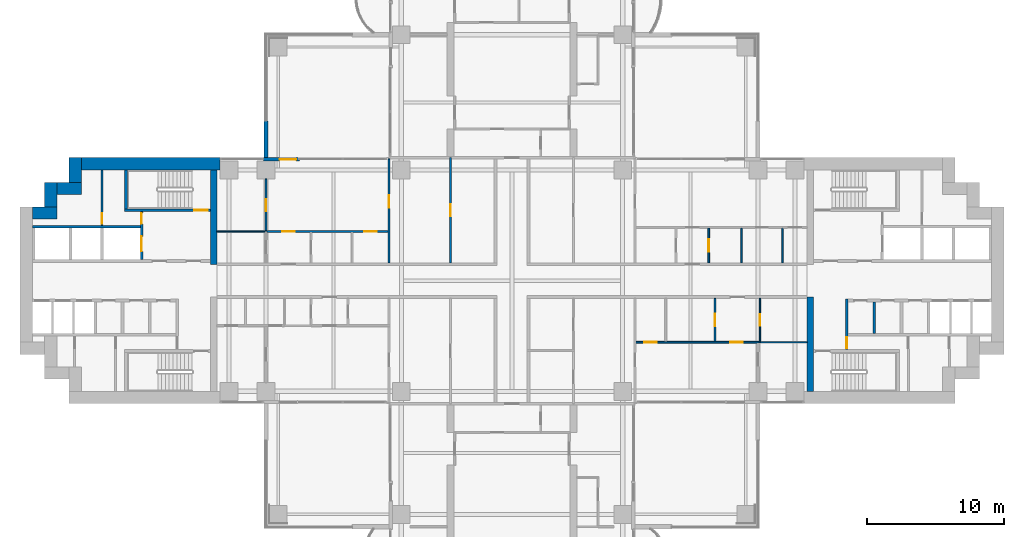
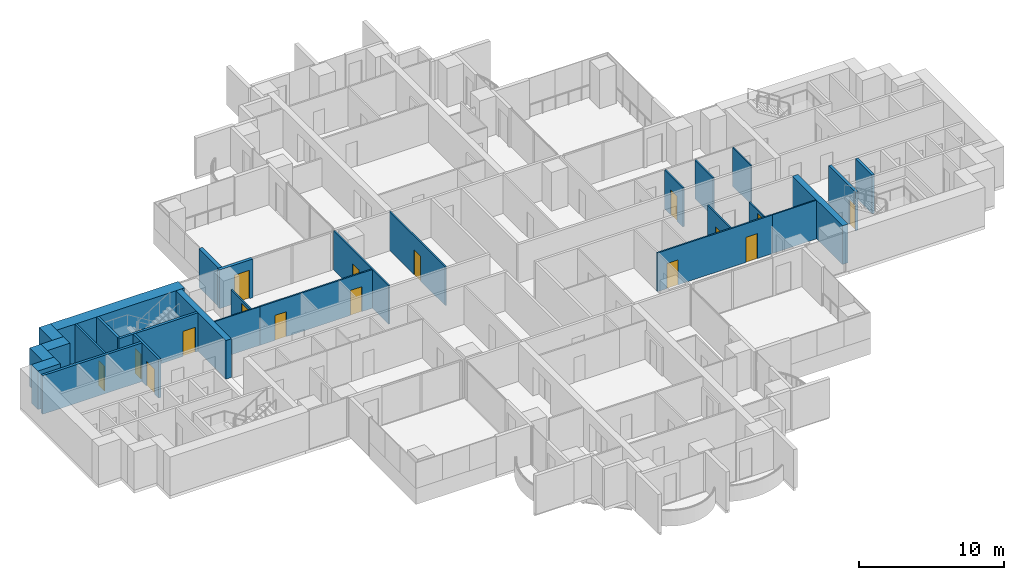
# One storey, part 13 of 20: 28 walls, 16 doors, 16 openings.
"""IFC4 building model written with IfcOpenShell, lengths in metres."""

from ifc_helpers import new_model, si_unit, direction, frame, frame_2d, origin, place, context, subcontext, project, spatial, rectangle, extrude, material, layer, layer_set, type_object, element, fill, save


model = new_model("IFC4")

# Units and contexts
model_context = context("Model", 3, precision=1e-05, world=origin(), true_north=direction((0.0, 1.0)))
body_context = subcontext(model_context, "Body", "Model", "MODEL_VIEW")
ifc_project = project(units=[si_unit("LENGTHUNIT", "METRE"), si_unit("AREAUNIT", "SQUARE_METRE"), si_unit("VOLUMEUNIT", "CUBIC_METRE"), si_unit("PLANEANGLEUNIT", "RADIAN"), si_unit("MASSUNIT", "GRAM", prefix="KILO")], contexts=[model_context])

# Site, building, storey
site_placement = place(None, origin())
site = spatial("IfcSite", under=ifc_project, at=site_placement, CompositionType="ELEMENT")
building_placement = place(site_placement, origin())
building = spatial("IfcBuilding", under=site, at=building_placement, Name="Perihelion Cross Residences", CompositionType="ELEMENT")
storey_placement = place(building_placement, frame((0.0, 0.0, 78.5)))
storey = spatial("IfcBuildingStorey", under=building, at=storey_placement, Name="L17", CompositionType="ELEMENT", Elevation=78.5)

# Wall, opening, door
ifc_material_1 = material(Name="Concrete C30/37, bronze-clad", Category="concrete")
ifc_layer_1 = layer(ifc_material_1, 0.25)
ifc_layer_set_1 = layer_set([ifc_layer_1], Name="Bronze-clad pier wall 250")
wall_type_1 = type_object("IfcWallType", Name="Bronze-clad pier wall 250", PredefinedType="SOLIDWALL", material=ifc_layer_set_1)
wall_1_placement = place(storey_placement, frame((-15.550048828125, 8.875, 0.0), z_axis=(0.0, 0.0, 1.0), x_axis=(-1.0, 0.0, 0.0)))
wall_1 = element("IfcWall", 1, at=wall_1_placement, inside=storey, type_object=wall_type_1, Name="Wall FW1 L17 west side north bay 1 pier", PredefinedType="SOLIDWALL", context=body_context, shape_type="SweptSolid", body=[
    extrude(rectangle(XDim=2.64990234375, YDim=0.25, at=frame_2d((1.324951171875, 0.0))), origin(), (0.0, 0.0, 1.0), 3.25),
])
opening_1_placement = place(wall_1_placement, frame((0.25, 0.0, 0.0)))
opening_1 = element("IfcOpeningElement", 2, at=opening_1_placement, cuts=wall_1, Name="Opening L17.E08", PredefinedType="OPENING", context=body_context, shape_type="SweptSolid", body=[
    extrude(rectangle(XDim=1.199951171875, YDim=2.39990234375, at=frame_2d((0.60009765625, 1.199951171875))), frame((0.0, 0.135009765625, 0.0), z_axis=(0.0, -1.0, 0.0), x_axis=(1.0, 0.0, 0.0)), (0.0, 0.0, 1.0), 0.27001953125),
])
ifc_material_2 = material(Name="Bronze anodised aluminium, glazed", Category="aluminium")
door_type_1 = type_object("IfcDoorType", Name="Balcony door 1200 x 2400", OperationType="NOTDEFINED", PredefinedType="DOOR", material=ifc_material_2)
door_1_placement = place(opening_1_placement, origin())
door_1 = element("IfcDoor", 3, at=door_1_placement, inside=storey, type_object=door_type_1, Name="Door L17.E08 west side north bay 1", OperationType="SINGLE_SWING_LEFT", OverallHeight=2.39990234375, OverallWidth=1.199951171875, PredefinedType="DOOR", context=body_context, shape_type="SweptSolid", body=[
    extrude(rectangle(XDim=1.199951171875, YDim=2.39990234375, at=frame_2d((0.60009765625, 1.199951171875))), frame((0.0, 0.02490234375, 0.0), z_axis=(0.0, -1.0, 0.0), x_axis=(1.0, 0.0, 0.0)), (0.0, 0.0, 1.0), 0.050048828125),
])
fill(opening_1, door_1)

# Walls
ifc_material_3 = material(Name="Concrete C60/75", Category="concrete")
ifc_layer_2 = layer(ifc_material_3, 0.449951171875)
ifc_layer_set_2 = layer_set([ifc_layer_2], Name="Core wall, inner 450")
wall_type_2 = type_object("IfcWallType", Name="Core wall, inner 450", PredefinedType="SHEAR", material=ifc_layer_set_2)
for number, where, z_axis, x_axis, name in (
    (4, (21.824951171875, -8.10009765625, 0.0), (0.0, 0.0, 1.0), (0.0, 1.0, 0.0), "East core core wall, inner"),
    (5, (-21.824951171875, 1.199951171875, 0.0), (0.0, 0.0, 1.0), (0.0, 1.0, 0.0), "West core core wall, inner"),
):
    element("IfcWall", number, at=place(storey_placement, frame(where, z_axis=z_axis, x_axis=x_axis)), inside=storey, type_object=wall_type_2, Name=name, PredefinedType="SHEAR", context=body_context, shape_type="SweptSolid", body=[
        extrude(rectangle(XDim=6.900146484375, YDim=0.449951171875, at=frame_2d((3.4501953125, 0.0))), origin(), (0.0, 0.0, 1.0), 3.25),
    ])
ifc_material_4 = material(Name="Concrete C60/75", Category="concrete")
ifc_layer_3 = layer(ifc_material_4, 0.89990234375)
ifc_layer_set_3 = layer_set([ifc_layer_3], Name="Core wall, outer 900")
wall_type_3 = type_object("IfcWallType", Name="Core wall, outer 900", PredefinedType="SHEAR", material=ifc_layer_set_3)
for number, where, z_axis, x_axis, name in (
    (6, (-35.10009765625, 4.949951171875, 0.0), (0.0, 0.0, 1.0), (1.0, 0.0, 0.0), "West core core wall, outer"),
    (7, (-33.75, 5.39990234375, 0.0), (0.0, 0.0, 1.0), (0.0, 1.0, 0.0), "West core core wall, outer"),
    (8, (-33.300048828125, 6.75, 0.0), (0.0, 0.0, 1.0), (1.0, 0.0, 0.0), "West core core wall, outer"),
    (9, (-31.949951171875, 7.199951171875, 0.0), (0.0, 0.0, 1.0), (0.0, 1.0, 0.0), "West core core wall, outer"),
):
    element("IfcWall", number, at=place(storey_placement, frame(where, z_axis=z_axis, x_axis=x_axis)), inside=storey, type_object=wall_type_3, Name=name, PredefinedType="SHEAR", context=body_context, shape_type="SweptSolid", body=[
        extrude(rectangle(XDim=1.800048828125, YDim=0.89990234375, at=frame_2d((0.89990234375, 0.0))), origin(), (0.0, 0.0, 1.0), 3.25),
    ])
wall_2_placement = place(storey_placement, frame((-31.5, 8.550048828125, 0.0), z_axis=(0.0, 0.0, 1.0), x_axis=(1.0, 0.0, 0.0)))
element("IfcWall", 10, at=wall_2_placement, inside=storey, type_object=wall_type_3, Name="West core core wall, outer", PredefinedType="SHEAR", context=body_context, shape_type="SweptSolid", body=[
    extrude(rectangle(XDim=10.14990234375, YDim=0.89990234375, at=frame_2d((5.074951171875, 0.0))), origin(), (0.0, 0.0, 1.0), 3.25),
])

# Wall, opening, door
ifc_material_5 = material(Name="Concrete C50/60", Category="concrete")
ifc_layer_4 = layer(ifc_material_5, 0.199951171875)
ifc_layer_set_4 = layer_set([ifc_layer_4], Name="Lobby wall 200")
wall_type_4 = type_object("IfcWallType", Name="Lobby wall 200", PredefinedType="SOLIDWALL", material=ifc_layer_set_4)
wall_3_placement = place(storey_placement, frame((24.5, -5.050048828125, 0.0), z_axis=(0.0, 0.0, 1.0), x_axis=(0.0, 1.0, 0.0)))
wall_3 = element("IfcWall", 11, at=wall_3_placement, inside=storey, type_object=wall_type_4, Name="East core lobby wall", PredefinedType="SOLIDWALL", context=body_context, shape_type="SweptSolid", body=[
    extrude(rectangle(XDim=3.699951171875, YDim=0.199951171875, at=frame_2d((1.85009765625, 0.0))), origin(), (0.0, 0.0, 1.0), 3.25),
])
opening_2_placement = place(wall_3_placement, frame((0.10009765625, 0.0, 0.0)))
opening_2 = element("IfcOpeningElement", 12, at=opening_2_placement, cuts=wall_3, Name="Opening L17.C08", PredefinedType="OPENING", context=body_context, shape_type="SweptSolid", body=[
    extrude(rectangle(XDim=0.800048828125, YDim=2.10009765625, at=frame_2d((0.39990234375, 1.050048828125))), frame((0.0, 0.10986328125, 0.0), z_axis=(0.0, -1.0, 0.0), x_axis=(1.0, 0.0, 0.0)), (0.0, 0.0, 1.0), 0.219970703125),
])
ifc_material_6 = material(Name="Steel, powder coated", Category="steel")
door_type_2 = type_object("IfcDoorType", Name="Riser door 800", OperationType="SINGLE_SWING_LEFT", PredefinedType="DOOR", material=ifc_material_6)
door_2_placement = place(opening_2_placement, origin())
door_2 = element("IfcDoor", 13, at=door_2_placement, inside=storey, type_object=door_type_2, Name="East core riser door", OperationType="SINGLE_SWING_LEFT", OverallHeight=2.10009765625, OverallWidth=0.800048828125, PredefinedType="DOOR", context=body_context, shape_type="SweptSolid", body=[
    extrude(rectangle(XDim=0.800048828125, YDim=2.10009765625, at=frame_2d((0.39990234375, 1.050048828125))), frame((0.0, 0.02490234375, 0.0), z_axis=(0.0, -1.0, 0.0), x_axis=(1.0, 0.0, 0.0)), (0.0, 0.0, 1.0), 0.050048828125),
])
fill(opening_2, door_2)

ifc_material_7 = material(Name="Plasterboard partition")
ifc_layer_5 = layer(ifc_material_7, 0.1201171875)
ifc_layer_set_5 = layer_set([ifc_layer_5], Name="Partition wall 120")
wall_type_5 = type_object("IfcWallType", Name="Partition wall 120", PredefinedType="PARTITIONING", material=ifc_layer_set_5)
wall_4_placement = place(storey_placement, frame((14.39990234375, 3.840087890625, 0.0), z_axis=(0.0, 0.0, 1.0), x_axis=(0.0, -1.0, 0.0)))
wall_4 = element("IfcWall", 14, at=wall_4_placement, inside=storey, type_object=wall_type_5, Name="Partition L17 W014", PredefinedType="PARTITIONING", context=body_context, shape_type="SweptSolid", body=[
    extrude(rectangle(XDim=2.5400390625, YDim=0.1201171875, at=frame_2d((1.27001953125, 0.0))), origin(), (0.0, 0.0, 1.0), 3.25),
])
opening_3_placement = place(wall_4_placement, frame((0.820068359375, 0.0, 0.0)))
opening_3 = element("IfcOpeningElement", 15, at=opening_3_placement, cuts=wall_4, Name="Opening L17.A07", PredefinedType="OPENING", context=body_context, shape_type="SweptSolid", body=[
    extrude(rectangle(XDim=0.89990234375, YDim=2.10009765625, at=frame_2d((0.449951171875, 1.050048828125))), frame((0.0, 0.070068359375, 0.0), z_axis=(0.0, -1.0, 0.0), x_axis=(1.0, 0.0, 0.0)), (0.0, 0.0, 1.0), 0.14013671875),
])
ifc_material_8 = material(Name="Timber door leaf", Category="wood")
door_type_3 = type_object("IfcDoorType", Name="Interior room door 900 x 2100", OperationType="SINGLE_SWING_LEFT", PredefinedType="DOOR", material=ifc_material_8)
door_3_placement = place(opening_3_placement, origin())
door_3 = element("IfcDoor", 16, at=door_3_placement, inside=storey, type_object=door_type_3, Name="Door L17.A07", OperationType="SINGLE_SWING_LEFT", OverallHeight=2.10009765625, OverallWidth=0.89990234375, PredefinedType="DOOR", context=body_context, shape_type="SweptSolid", body=[
    extrude(rectangle(XDim=0.89990234375, YDim=2.10009765625, at=frame_2d((0.449951171875, 1.050048828125))), frame((0.0, 0.02490234375, 0.0), z_axis=(0.0, -1.0, 0.0), x_axis=(1.0, 0.0, 0.0)), (0.0, 0.0, 1.0), 0.050048828125),
])
fill(opening_3, door_3)

# Wall, openings, doors
wall_5_placement = place(storey_placement, frame((18.06005859375, -4.5, 0.0), z_axis=(0.0, 0.0, 1.0), x_axis=(-1.0, 0.0, 0.0)))
wall_5 = element("IfcWall", 17, at=wall_5_placement, inside=storey, type_object=wall_type_5, Name="Partition L17 W021", PredefinedType="PARTITIONING", context=body_context, shape_type="SweptSolid", body=[
    extrude(rectangle(XDim=9.1201171875, YDim=0.1201171875, at=frame_2d((4.56005859375, 0.0))), origin(), (0.0, 0.0, 1.0), 3.25),
])
opening_4_placement = place(wall_5_placement, frame((1.18505859375, 0.0, 0.0)))
opening_4 = element("IfcOpeningElement", 18, at=opening_4_placement, cuts=wall_5, Name="Opening L17.A13", PredefinedType="OPENING", context=body_context, shape_type="SweptSolid", body=[
    extrude(rectangle(XDim=0.89990234375, YDim=2.10009765625, at=frame_2d((0.449951171875, 1.050048828125))), frame((0.0, 0.070068359375, 0.0), z_axis=(0.0, -1.0, 0.0), x_axis=(1.0, 0.0, 0.0)), (0.0, 0.0, 1.0), 0.14013671875),
])
opening_5_placement = place(wall_5_placement, frame((7.485107421875, 0.0, 0.0)))
opening_5 = element("IfcOpeningElement", 19, at=opening_5_placement, cuts=wall_5, Name="Opening L17.A15", PredefinedType="OPENING", context=body_context, shape_type="SweptSolid", body=[
    extrude(rectangle(XDim=0.89990234375, YDim=2.10009765625, at=frame_2d((0.449951171875, 1.050048828125))), frame((0.0, 0.070068359375, 0.0), z_axis=(0.0, -1.0, 0.0), x_axis=(1.0, 0.0, 0.0)), (0.0, 0.0, 1.0), 0.14013671875),
])
door_4_placement = place(opening_4_placement, origin())
door_4 = element("IfcDoor", 20, at=door_4_placement, inside=storey, type_object=door_type_3, Name="Door L17.A13", OperationType="SINGLE_SWING_RIGHT", OverallHeight=2.10009765625, OverallWidth=0.89990234375, PredefinedType="DOOR", context=body_context, shape_type="SweptSolid", body=[
    extrude(rectangle(XDim=0.89990234375, YDim=2.10009765625, at=frame_2d((0.449951171875, 1.050048828125))), frame((0.0, 0.02490234375, 0.0), z_axis=(0.0, -1.0, 0.0), x_axis=(1.0, 0.0, 0.0)), (0.0, 0.0, 1.0), 0.050048828125),
])
fill(opening_4, door_4)
door_5_placement = place(opening_5_placement, origin())
door_5 = element("IfcDoor", 21, at=door_5_placement, inside=storey, type_object=door_type_3, Name="Door L17.A15", OperationType="SINGLE_SWING_RIGHT", OverallHeight=2.10009765625, OverallWidth=0.89990234375, PredefinedType="DOOR", context=body_context, shape_type="SweptSolid", body=[
    extrude(rectangle(XDim=0.89990234375, YDim=2.10009765625, at=frame_2d((0.449951171875, 1.050048828125))), frame((0.0, 0.02490234375, 0.0), z_axis=(0.0, -1.0, 0.0), x_axis=(1.0, 0.0, 0.0)), (0.0, 0.0, 1.0), 0.050048828125),
])
fill(opening_5, door_5)

# Wall, opening, door
wall_6_placement = place(storey_placement, frame((14.85009765625, -1.300048828125, 0.0), z_axis=(0.0, 0.0, 1.0), x_axis=(0.0, -1.0, 0.0)))
wall_6 = element("IfcWall", 22, at=wall_6_placement, inside=storey, type_object=wall_type_5, Name="Partition L17 W023", PredefinedType="PARTITIONING", context=body_context, shape_type="SweptSolid", body=[
    extrude(rectangle(XDim=3.139892578125, YDim=0.1201171875, at=frame_2d((1.56982421875, 0.0))), origin(), (0.0, 0.0, 1.0), 3.25),
])
opening_6_placement = place(wall_6_placement, frame((1.1201171875, 0.0, 0.0)))
opening_6 = element("IfcOpeningElement", 23, at=opening_6_placement, cuts=wall_6, Name="Opening L17.A12", PredefinedType="OPENING", context=body_context, shape_type="SweptSolid", body=[
    extrude(rectangle(XDim=0.89990234375, YDim=2.10009765625, at=frame_2d((0.449951171875, 1.050048828125))), frame((0.0, 0.070068359375, 0.0), z_axis=(0.0, -1.0, 0.0), x_axis=(1.0, 0.0, 0.0)), (0.0, 0.0, 1.0), 0.14013671875),
])
door_6_placement = place(opening_6_placement, origin())
door_6 = element("IfcDoor", 24, at=door_6_placement, inside=storey, type_object=door_type_3, Name="Door L17.A12", OperationType="SINGLE_SWING_LEFT", OverallHeight=2.10009765625, OverallWidth=0.89990234375, PredefinedType="DOOR", context=body_context, shape_type="SweptSolid", body=[
    extrude(rectangle(XDim=0.89990234375, YDim=2.10009765625, at=frame_2d((0.449951171875, 1.050048828125))), frame((0.0, 0.02490234375, 0.0), z_axis=(0.0, -1.0, 0.0), x_axis=(1.0, 0.0, 0.0)), (0.0, 0.0, 1.0), 0.050048828125),
])
fill(opening_6, door_6)

# Wall, openings, doors
wall_7_placement = place(storey_placement, frame((-18.0, 3.60009765625, 0.0), z_axis=(0.0, 0.0, 1.0), x_axis=(1.0, 0.0, 0.0)))
wall_7 = element("IfcWall", 25, at=wall_7_placement, inside=storey, type_object=wall_type_5, Name="Partition L17 W031", PredefinedType="PARTITIONING", context=body_context, shape_type="SweptSolid", body=[
    extrude(rectangle(XDim=9.06005859375, YDim=0.1201171875, at=frame_2d((4.530029296875, 0.0))), origin(), (0.0, 0.0, 1.0), 3.25),
])
opening_7_placement = place(wall_7_placement, frame((1.199951171875, 0.0, 0.0)))
opening_7 = element("IfcOpeningElement", 26, at=opening_7_placement, cuts=wall_7, Name="Opening L17.A20", PredefinedType="OPENING", context=body_context, shape_type="SweptSolid", body=[
    extrude(rectangle(XDim=0.89990234375, YDim=2.10009765625, at=frame_2d((0.449951171875, 1.050048828125))), frame((0.0, 0.070068359375, 0.0), z_axis=(0.0, -1.0, 0.0), x_axis=(1.0, 0.0, 0.0)), (0.0, 0.0, 1.0), 0.14013671875),
])
opening_8_placement = place(wall_7_placement, frame((7.199951171875, 0.0, 0.0)))
opening_8 = element("IfcOpeningElement", 27, at=opening_8_placement, cuts=wall_7, Name="Opening L17.A22", PredefinedType="OPENING", context=body_context, shape_type="SweptSolid", body=[
    extrude(rectangle(XDim=0.89990234375, YDim=2.10009765625, at=frame_2d((0.449951171875, 1.050048828125))), frame((0.0, 0.070068359375, 0.0), z_axis=(0.0, -1.0, 0.0), x_axis=(1.0, 0.0, 0.0)), (0.0, 0.0, 1.0), 0.14013671875),
])
door_7_placement = place(opening_7_placement, origin())
door_7 = element("IfcDoor", 28, at=door_7_placement, inside=storey, type_object=door_type_3, Name="Door L17.A20", OperationType="SINGLE_SWING_RIGHT", OverallHeight=2.10009765625, OverallWidth=0.89990234375, PredefinedType="DOOR", context=body_context, shape_type="SweptSolid", body=[
    extrude(rectangle(XDim=0.89990234375, YDim=2.10009765625, at=frame_2d((0.449951171875, 1.050048828125))), frame((0.0, 0.02490234375, 0.0), z_axis=(0.0, -1.0, 0.0), x_axis=(1.0, 0.0, 0.0)), (0.0, 0.0, 1.0), 0.050048828125),
])
fill(opening_7, door_7)
door_8_placement = place(opening_8_placement, origin())
door_8 = element("IfcDoor", 29, at=door_8_placement, inside=storey, type_object=door_type_3, Name="Door L17.A22", OperationType="SINGLE_SWING_RIGHT", OverallHeight=2.10009765625, OverallWidth=0.89990234375, PredefinedType="DOOR", context=body_context, shape_type="SweptSolid", body=[
    extrude(rectangle(XDim=0.89990234375, YDim=2.10009765625, at=frame_2d((0.449951171875, 1.050048828125))), frame((0.0, 0.02490234375, 0.0), z_axis=(0.0, -1.0, 0.0), x_axis=(1.0, 0.0, 0.0)), (0.0, 0.0, 1.0), 0.050048828125),
])
fill(opening_8, door_8)

# Wall, opening, door
wall_8_placement = place(storey_placement, frame((-9.0, 8.919921875, 0.0), z_axis=(0.0, 0.0, 1.0), x_axis=(0.0, -1.0, 0.0)))
wall_8 = element("IfcWall", 30, at=wall_8_placement, inside=storey, type_object=wall_type_5, Name="Partition L17 W032", PredefinedType="PARTITIONING", context=body_context, shape_type="SweptSolid", body=[
    extrude(rectangle(XDim=7.619873046875, YDim=0.1201171875, at=frame_2d((3.81005859375, 0.0))), origin(), (0.0, 0.0, 1.0), 3.25),
])
opening_9_placement = place(wall_8_placement, frame((2.669921875, 0.0, 0.0)))
opening_9 = element("IfcOpeningElement", 31, at=opening_9_placement, cuts=wall_8, Name="Opening L17.A18", PredefinedType="OPENING", context=body_context, shape_type="SweptSolid", body=[
    extrude(rectangle(XDim=0.89990234375, YDim=2.10009765625, at=frame_2d((0.449951171875, 1.050048828125))), frame((0.0, 0.070068359375, 0.0), z_axis=(0.0, -1.0, 0.0), x_axis=(1.0, 0.0, 0.0)), (0.0, 0.0, 1.0), 0.14013671875),
])
door_9_placement = place(opening_9_placement, origin())
door_9 = element("IfcDoor", 32, at=door_9_placement, inside=storey, type_object=door_type_3, Name="Door L17.A18", OperationType="SINGLE_SWING_RIGHT", OverallHeight=2.10009765625, OverallWidth=0.89990234375, PredefinedType="DOOR", context=body_context, shape_type="SweptSolid", body=[
    extrude(rectangle(XDim=0.89990234375, YDim=2.10009765625, at=frame_2d((0.449951171875, 1.050048828125))), frame((0.0, 0.02490234375, 0.0), z_axis=(0.0, -1.0, 0.0), x_axis=(1.0, 0.0, 0.0)), (0.0, 0.0, 1.0), 0.050048828125),
])
fill(opening_9, door_9)

wall_9_placement = place(storey_placement, frame((-18.0, 3.60009765625, 0.0), z_axis=(0.0, 0.0, 1.0), x_axis=(0.0, 1.0, 0.0)))
wall_9 = element("IfcWall", 33, at=wall_9_placement, inside=storey, type_object=wall_type_5, Name="Partition L17 W036", PredefinedType="PARTITIONING", context=body_context, shape_type="SweptSolid", body=[
    extrude(rectangle(XDim=3.849853515625, YDim=0.1201171875, at=frame_2d((1.9248046875, 0.0))), origin(), (0.0, 0.0, 1.0), 2.345947265625),
])
opening_10_placement = place(wall_9_placement, frame((1.47509765625, 0.0, 0.0)))
opening_10 = element("IfcOpeningElement", 34, at=opening_10_placement, cuts=wall_9, Name="Opening L17.A21", PredefinedType="OPENING", context=body_context, shape_type="SweptSolid", body=[
    extrude(rectangle(XDim=0.89990234375, YDim=2.10009765625, at=frame_2d((0.449951171875, 1.050048828125))), frame((0.0, 0.070068359375, 0.0), z_axis=(0.0, -1.0, 0.0), x_axis=(1.0, 0.0, 0.0)), (0.0, 0.0, 1.0), 0.14013671875),
])
door_10_placement = place(opening_10_placement, origin())
door_10 = element("IfcDoor", 35, at=door_10_placement, inside=storey, type_object=door_type_3, Name="Door L17.A21", OperationType="SINGLE_SWING_LEFT", OverallHeight=2.10009765625, OverallWidth=0.89990234375, PredefinedType="DOOR", context=body_context, shape_type="SweptSolid", body=[
    extrude(rectangle(XDim=0.89990234375, YDim=2.10009765625, at=frame_2d((0.449951171875, 1.050048828125))), frame((0.0, 0.02490234375, 0.0), z_axis=(0.0, -1.0, 0.0), x_axis=(1.0, 0.0, 0.0)), (0.0, 0.0, 1.0), 0.050048828125),
])
fill(opening_10, door_10)

wall_10_placement = place(storey_placement, frame((-4.5, 9.0, 0.0), z_axis=(0.0, 0.0, 1.0), x_axis=(0.0, -1.0, 0.0)))
wall_10 = element("IfcWall", 36, at=wall_10_placement, inside=storey, type_object=wall_type_5, Name="Partition L17 W037", PredefinedType="PARTITIONING", context=body_context, shape_type="SweptSolid", body=[
    extrude(rectangle(XDim=7.699951171875, YDim=0.1201171875, at=frame_2d((3.85009765625, 0.0))), origin(), (0.0, 0.0, 1.0), 3.25),
])
opening_11_placement = place(wall_10_placement, frame((3.39990234375, 0.0, 0.0)))
opening_11 = element("IfcOpeningElement", 37, at=opening_11_placement, cuts=wall_10, Name="Opening L17.A19", PredefinedType="OPENING", context=body_context, shape_type="SweptSolid", body=[
    extrude(rectangle(XDim=0.89990234375, YDim=2.10009765625, at=frame_2d((0.449951171875, 1.050048828125))), frame((0.0, 0.070068359375, 0.0), z_axis=(0.0, -1.0, 0.0), x_axis=(1.0, 0.0, 0.0)), (0.0, 0.0, 1.0), 0.14013671875),
])
door_11_placement = place(opening_11_placement, origin())
door_11 = element("IfcDoor", 38, at=door_11_placement, inside=storey, type_object=door_type_3, Name="Door L17.A19", OperationType="SINGLE_SWING_RIGHT", OverallHeight=2.10009765625, OverallWidth=0.89990234375, PredefinedType="DOOR", context=body_context, shape_type="SweptSolid", body=[
    extrude(rectangle(XDim=0.89990234375, YDim=2.10009765625, at=frame_2d((0.449951171875, 1.050048828125))), frame((0.0, 0.02490234375, 0.0), z_axis=(0.0, -1.0, 0.0), x_axis=(1.0, 0.0, 0.0)), (0.0, 0.0, 1.0), 0.050048828125),
])
fill(opening_11, door_11)

# Wall
ifc_material_9 = material(Name="Precast concrete C50/60", Category="concrete")
ifc_layer_6 = layer(ifc_material_9, 0.300048828125)
ifc_layer_set_6 = layer_set([ifc_layer_6], Name="Precast concrete C50/60 blade wall 300")
wall_type_6 = type_object("IfcWallType", Name="Precast concrete C50/60 blade wall 300", PredefinedType="SOLIDWALL", material=ifc_layer_set_6)
wall_11_placement = place(storey_placement, frame((-18.0, 8.75, 0.0), z_axis=(0.0, 0.0, 1.0), x_axis=(0.0, 1.0, 0.0)))
element("IfcWall", 39, at=wall_11_placement, inside=storey, type_object=wall_type_6, Name="Wall BL1 L17 no. 2", PredefinedType="SOLIDWALL", context=body_context, shape_type="SweptSolid", body=[
    extrude(rectangle(XDim=2.949951171875, YDim=0.300048828125, at=frame_2d((1.47509765625, 0.0))), origin(), (0.0, 0.0, 1.0), 3.25),
])

# Wall, opening, door
ifc_material_10 = material(Name="Fire-rated board on steel stud", Category="steel")
ifc_layer_7 = layer(ifc_material_10, 0.14990234375)
ifc_layer_set_7 = layer_set([ifc_layer_7], Name="Riser wall 150")
wall_type_7 = type_object("IfcWallType", Name="Riser wall 150", PredefinedType="PARTITIONING", material=ifc_layer_set_7)
wall_12_placement = place(storey_placement, frame((-30.0, 4.050048828125, 0.0), z_axis=(0.0, 0.0, 1.0), x_axis=(0.0, 1.0, 0.0)))
wall_12 = element("IfcWall", 40, at=wall_12_placement, inside=storey, type_object=wall_type_7, Name="West core riser wall", PredefinedType="PARTITIONING", context=body_context, shape_type="SweptSolid", body=[
    extrude(rectangle(XDim=4.050048828125, YDim=0.14990234375, at=frame_2d((2.02490234375, 0.0))), origin(), (0.0, 0.0, 1.0), 3.25),
])
opening_12_placement = place(wall_12_placement, frame((0.10009765625, 0.0, 0.0)))
opening_12 = element("IfcOpeningElement", 41, at=opening_12_placement, cuts=wall_12, Name="Opening L17.C31", PredefinedType="OPENING", context=body_context, shape_type="SweptSolid", body=[
    extrude(rectangle(XDim=0.800048828125, YDim=2.10009765625, at=frame_2d((0.39990234375, 1.050048828125))), frame((0.0, 0.0849609375, 0.0), z_axis=(0.0, -1.0, 0.0), x_axis=(1.0, 0.0, 0.0)), (0.0, 0.0, 1.0), 0.169921875),
])
door_12_placement = place(opening_12_placement, origin())
door_12 = element("IfcDoor", 42, at=door_12_placement, inside=storey, type_object=door_type_2, Name="West core riser door", OperationType="SINGLE_SWING_LEFT", OverallHeight=2.10009765625, OverallWidth=0.800048828125, PredefinedType="DOOR", context=body_context, shape_type="SweptSolid", body=[
    extrude(rectangle(XDim=0.800048828125, YDim=2.10009765625, at=frame_2d((0.39990234375, 1.050048828125))), frame((0.0, 0.02490234375, 0.0), z_axis=(0.0, -1.0, 0.0), x_axis=(1.0, 0.0, 0.0)), (0.0, 0.0, 1.0), 0.050048828125),
])
fill(opening_12, door_12)

# Walls
ifc_material_11 = material(Name="Fire-rated board on steel stud", Category="steel")
ifc_layer_8 = layer(ifc_material_11, 0.199951171875)
ifc_layer_set_8 = layer_set([ifc_layer_8], Name="Riser wall 200")
wall_type_8 = type_object("IfcWallType", Name="Riser wall 200", PredefinedType="PARTITIONING", material=ifc_layer_set_8)
wall_13_placement = place(storey_placement, frame((26.5, -3.85009765625, 0.0), z_axis=(0.0, 0.0, 1.0), x_axis=(0.0, 1.0, 0.0)))
element("IfcWall", 43, at=wall_13_placement, inside=storey, type_object=wall_type_8, Name="East core riser wall", PredefinedType="PARTITIONING", context=body_context, shape_type="SweptSolid", body=[
    extrude(rectangle(XDim=2.300048828125, YDim=0.199951171875, at=frame_2d((1.14990234375, 0.0))), origin(), (0.0, 0.0, 1.0), 3.25),
])
ifc_material_12 = material(Name="Concrete C50/60", Category="concrete")
ifc_layer_9 = layer(ifc_material_12, 0.199951171875)
ifc_layer_set_9 = layer_set([ifc_layer_9], Name="Shaft wall 200")
wall_type_9 = type_object("IfcWallType", Name="Shaft wall 200", PredefinedType="SOLIDWALL", material=ifc_layer_set_9)
wall_14_placement = place(storey_placement, frame((-35.10009765625, 3.949951171875, 0.0), z_axis=(0.0, 0.0, 1.0), x_axis=(1.0, 0.0, 0.0)))
element("IfcWall", 44, at=wall_14_placement, inside=storey, type_object=wall_type_9, Name="West core shaft wall", PredefinedType="SOLIDWALL", context=body_context, shape_type="SweptSolid", body=[
    extrude(rectangle(XDim=7.900146484375, YDim=0.199951171875, at=frame_2d((3.9501953125, 0.0))), origin(), (0.0, 0.0, 1.0), 3.25),
])

# Wall, openings, doors
wall_15_placement = place(storey_placement, frame((-27.10009765625, 1.550048828125, 0.0), z_axis=(0.0, 0.0, 1.0), x_axis=(0.0, 1.0, 0.0)))
wall_15 = element("IfcWall", 45, at=wall_15_placement, inside=storey, type_object=wall_type_9, Name="West core shaft wall", PredefinedType="SOLIDWALL", context=body_context, shape_type="SweptSolid", body=[
    extrude(rectangle(XDim=3.5, YDim=0.199951171875, at=frame_2d((1.75, 0.0))), origin(), (0.0, 0.0, 1.0), 3.25),
])
opening_13_placement = place(wall_15_placement, frame((0.60009765625, 0.0, 0.0)))
opening_13 = element("IfcOpeningElement", 46, at=opening_13_placement, cuts=wall_15, Name="Opening L17.C17", PredefinedType="OPENING", context=body_context, shape_type="SweptSolid", body=[
    extrude(rectangle(XDim=1.10009765625, YDim=2.10009765625, at=frame_2d((0.550048828125, 1.050048828125))), frame((0.0, 0.10986328125, 0.0), z_axis=(0.0, -1.0, 0.0), x_axis=(1.0, 0.0, 0.0)), (0.0, 0.0, 1.0), 0.219970703125),
])
opening_14_placement = place(wall_15_placement, frame((2.60009765625, 0.0, 0.0)))
opening_14 = element("IfcOpeningElement", 47, at=opening_14_placement, cuts=wall_15, Name="Opening L17.C27", PredefinedType="OPENING", context=body_context, shape_type="SweptSolid", body=[
    extrude(rectangle(XDim=0.800048828125, YDim=2.10009765625, at=frame_2d((0.39990234375, 1.050048828125))), frame((0.0, 0.10986328125, 0.0), z_axis=(0.0, -1.0, 0.0), x_axis=(1.0, 0.0, 0.0)), (0.0, 0.0, 1.0), 0.219970703125),
])
ifc_material_13 = material(Name="Stainless steel", Category="steel")
door_type_4 = type_object("IfcDoorType", Name="Landing door, firefighting lift 1100", OperationType="DOUBLE_DOOR_SLIDING", PredefinedType="DOOR", material=ifc_material_13)
door_13_placement = place(opening_13_placement, origin())
door_13 = element("IfcDoor", 48, at=door_13_placement, inside=storey, type_object=door_type_4, Name="Landing door, West core firefighting and service lift", OperationType="DOUBLE_DOOR_SLIDING", OverallHeight=2.10009765625, OverallWidth=1.10009765625, PredefinedType="DOOR", context=body_context, shape_type="SweptSolid", body=[
    extrude(rectangle(XDim=1.10009765625, YDim=2.10009765625, at=frame_2d((0.550048828125, 1.050048828125))), frame((0.0, 0.02490234375, 0.0), z_axis=(0.0, -1.0, 0.0), x_axis=(1.0, 0.0, 0.0)), (0.0, 0.0, 1.0), 0.050048828125),
])
fill(opening_13, door_13)
door_14_placement = place(opening_14_placement, origin())
door_14 = element("IfcDoor", 49, at=door_14_placement, inside=storey, type_object=door_type_2, Name="West core riser door", OperationType="SINGLE_SWING_LEFT", OverallHeight=2.10009765625, OverallWidth=0.800048828125, PredefinedType="DOOR", context=body_context, shape_type="SweptSolid", body=[
    extrude(rectangle(XDim=0.800048828125, YDim=2.10009765625, at=frame_2d((0.39990234375, 1.050048828125))), frame((0.0, 0.02490234375, 0.0), z_axis=(0.0, -1.0, 0.0), x_axis=(1.0, 0.0, 0.0)), (0.0, 0.0, 1.0), 0.050048828125),
])
fill(opening_14, door_14)

# Wall, opening, door
ifc_material_14 = material(Name="Concrete C50/60", Category="concrete")
ifc_layer_10 = layer(ifc_material_14, 0.199951171875)
ifc_layer_set_10 = layer_set([ifc_layer_10], Name="Stair wall 200")
wall_type_10 = type_object("IfcWallType", Name="Stair wall 200", PredefinedType="SOLIDWALL", material=ifc_layer_set_10)
wall_16_placement = place(storey_placement, frame((-28.35009765625, 5.14990234375, 0.0), z_axis=(0.0, 0.0, 1.0), x_axis=(1.0, 0.0, 0.0)))
wall_16 = element("IfcWall", 50, at=wall_16_placement, inside=storey, type_object=wall_type_10, Name="West core stair wall", PredefinedType="SOLIDWALL", context=body_context, shape_type="SweptSolid", body=[
    extrude(rectangle(XDim=6.300048828125, YDim=0.199951171875, at=frame_2d((3.14990234375, 0.0))), origin(), (0.0, 0.0, 1.0), 3.25),
])
opening_15_placement = place(wall_16_placement, frame((5.10009765625, 0.0, 0.0)))
opening_15 = element("IfcOpeningElement", 51, at=opening_15_placement, cuts=wall_16, Name="Opening L17.C22", PredefinedType="OPENING", context=body_context, shape_type="SweptSolid", body=[
    extrude(rectangle(XDim=1.0, YDim=2.10009765625, at=frame_2d((0.5, 1.050048828125))), frame((0.0, 0.10986328125, 0.0), z_axis=(0.0, -1.0, 0.0), x_axis=(1.0, 0.0, 0.0)), (0.0, 0.0, 1.0), 0.219970703125),
])
ifc_material_15 = material(Name="Steel, powder coated", Category="steel")
door_type_5 = type_object("IfcDoorType", Name="Stair door 1000", OperationType="SINGLE_SWING_LEFT", PredefinedType="DOOR", material=ifc_material_15)
door_15_placement = place(opening_15_placement, origin())
door_15 = element("IfcDoor", 52, at=door_15_placement, inside=storey, type_object=door_type_5, Name="West core stair door", OperationType="SINGLE_SWING_LEFT", OverallHeight=2.10009765625, OverallWidth=1.0, PredefinedType="DOOR", context=body_context, shape_type="SweptSolid", body=[
    extrude(rectangle(XDim=1.0, YDim=2.10009765625, at=frame_2d((0.5, 1.050048828125))), frame((0.0, 0.02490234375, 0.0), z_axis=(0.0, -1.0, 0.0), x_axis=(1.0, 0.0, 0.0)), (0.0, 0.0, 1.0), 0.050048828125),
])
fill(opening_15, door_15)

# Walls
wall_17_placement = place(storey_placement, frame((-28.25, 5.25, 0.0), z_axis=(0.0, 0.0, 1.0), x_axis=(0.0, 1.0, 0.0)))
element("IfcWall", 53, at=wall_17_placement, inside=storey, type_object=wall_type_10, Name="West core stair wall", PredefinedType="SOLIDWALL", context=body_context, shape_type="SweptSolid", body=[
    extrude(rectangle(XDim=2.85009765625, YDim=0.199951171875, at=frame_2d((1.425048828125, 0.0))), origin(), (0.0, 0.0, 1.0), 3.25),
])
ifc_material_16 = material(Name="Plasterboard partition")
ifc_layer_11 = layer(ifc_material_16, 0.10009765625)
ifc_layer_set_11 = layer_set([ifc_layer_11], Name="Wet room wall 100")
wall_type_11 = type_object("IfcWallType", Name="Wet room wall 100", PredefinedType="PARTITIONING", material=ifc_layer_set_11)
for number, where, z_axis, x_axis, name in (
    (54, (16.800048828125, 3.840087890625, 0.0), (0.0, 0.0, 1.0), (0.0, -1.0, 0.0), "Partition L17 W015"),
    (55, (19.800048828125, 3.840087890625, 0.0), (0.0, 0.0, 1.0), (0.0, -1.0, 0.0), "Partition L17 W016"),
):
    element("IfcWall", number, at=place(storey_placement, frame(where, z_axis=z_axis, x_axis=x_axis)), inside=storey, type_object=wall_type_11, Name=name, PredefinedType="PARTITIONING", context=body_context, shape_type="SweptSolid", body=[
        extrude(rectangle(XDim=2.5400390625, YDim=0.10009765625, at=frame_2d((1.27001953125, 0.0))), origin(), (0.0, 0.0, 1.0), 3.25),
    ])

# Wall, opening, door
wall_18_placement = place(storey_placement, frame((18.14990234375, -1.300048828125, 0.0), z_axis=(0.0, 0.0, 1.0), x_axis=(0.0, -1.0, 0.0)))
wall_18 = element("IfcWall", 56, at=wall_18_placement, inside=storey, type_object=wall_type_11, Name="Partition L17 W024", PredefinedType="PARTITIONING", context=body_context, shape_type="SweptSolid", body=[
    extrude(rectangle(XDim=3.14990234375, YDim=0.10009765625, at=frame_2d((1.574951171875, 0.0))), origin(), (0.0, 0.0, 1.0), 2.345947265625),
])
opening_16_placement = place(wall_18_placement, frame((1.14990234375, 0.0, 0.0)))
opening_16 = element("IfcOpeningElement", 57, at=opening_16_placement, cuts=wall_18, Name="Opening L17.A08", PredefinedType="OPENING", context=body_context, shape_type="SweptSolid", body=[
    extrude(rectangle(XDim=0.85009765625, YDim=2.10009765625, at=frame_2d((0.425048828125, 1.050048828125))), frame((0.0, 0.06005859375, 0.0), z_axis=(0.0, -1.0, 0.0), x_axis=(1.0, 0.0, 0.0)), (0.0, 0.0, 1.0), 0.1201171875),
])
ifc_material_17 = material(Name="Timber door leaf", Category="wood")
door_type_6 = type_object("IfcDoorType", Name="Interior bathroom door 850 x 2100", OperationType="SINGLE_SWING_LEFT", PredefinedType="DOOR", material=ifc_material_17)
door_16_placement = place(opening_16_placement, origin())
door_16 = element("IfcDoor", 58, at=door_16_placement, inside=storey, type_object=door_type_6, Name="Door L17.A08", OperationType="SINGLE_SWING_LEFT", OverallHeight=2.10009765625, OverallWidth=0.85009765625, PredefinedType="DOOR", context=body_context, shape_type="SweptSolid", body=[
    extrude(rectangle(XDim=0.85009765625, YDim=2.10009765625, at=frame_2d((0.425048828125, 1.050048828125))), frame((0.0, 0.02490234375, 0.0), z_axis=(0.0, -1.0, 0.0), x_axis=(1.0, 0.0, 0.0)), (0.0, 0.0, 1.0), 0.050048828125),
])
fill(opening_16, door_16)

# Walls
wall_19_placement = place(storey_placement, frame((21.60009765625, -4.5, 0.0), z_axis=(0.0, 0.0, 1.0), x_axis=(-1.0, 0.0, 0.0)))
element("IfcWall", 59, at=wall_19_placement, inside=storey, type_object=wall_type_11, Name="Partition L17 W025", PredefinedType="PARTITIONING", context=body_context, shape_type="SweptSolid", body=[
    extrude(rectangle(XDim=3.5, YDim=0.10009765625, at=frame_2d((1.75, 0.0))), origin(), (0.0, 0.0, 1.0), 3.25),
])
wall_20_placement = place(storey_placement, frame((-21.60009765625, 3.60009765625, 0.0), z_axis=(0.0, 0.0, 1.0), x_axis=(1.0, 0.0, 0.0)))
element("IfcWall", 60, at=wall_20_placement, inside=storey, type_object=wall_type_11, Name="Partition L17 W035", PredefinedType="PARTITIONING", context=body_context, shape_type="SweptSolid", body=[
    extrude(rectangle(XDim=3.60009765625, YDim=0.10009765625, at=frame_2d((1.800048828125, 0.0))), origin(), (0.0, 0.0, 1.0), 3.25),
])

save(model, "model.ifc")
